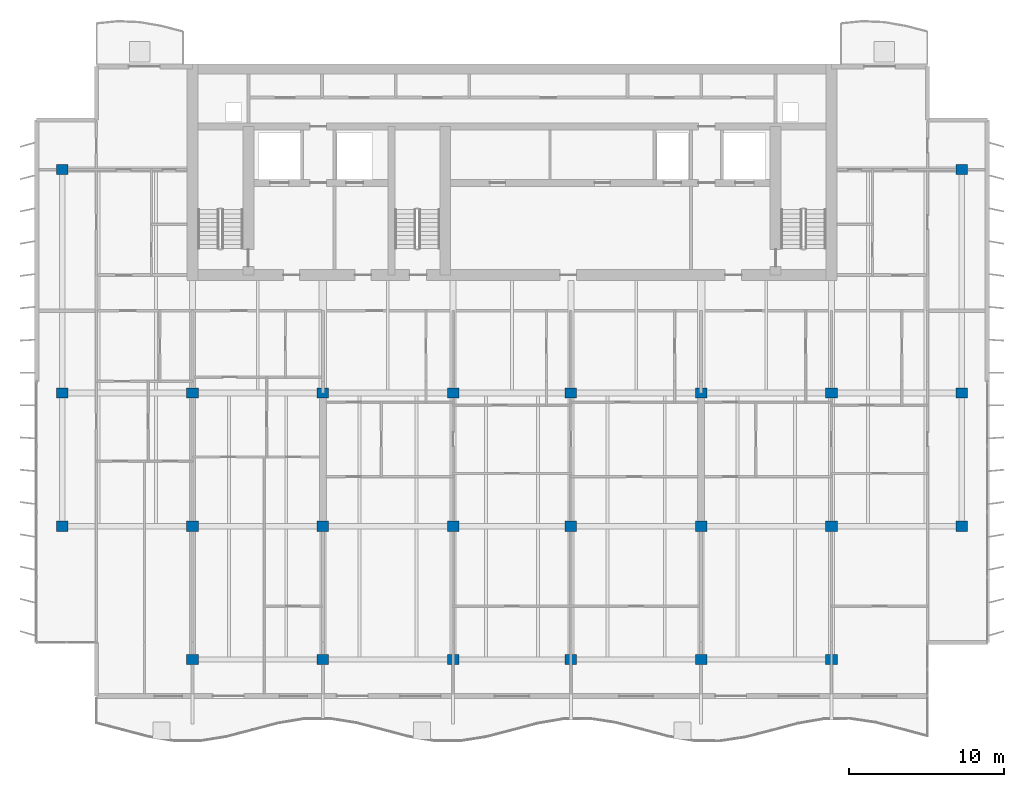
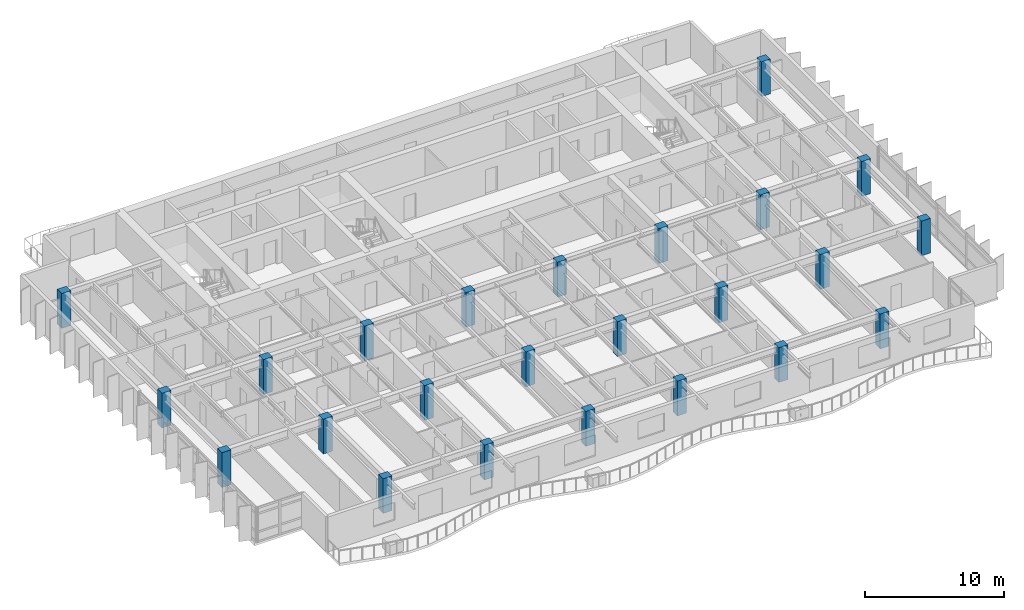
# One storey, part 1 of 16: 24 columns.
"""IFC4 building model written with IfcOpenShell, lengths in metres."""

from ifc_helpers import new_model, si_unit, direction, frame, origin, origin_2d, place, context, subcontext, project, spatial, rectangle, extrude, material, material_profile, profile_set, type_object, element, save


model = new_model("IFC4")

# Units and contexts
model_context = context("Model", 3, precision=1e-05, world=origin(), true_north=direction((0.0, 1.0)))
body_context = subcontext(model_context, "Body", "Model", "MODEL_VIEW")
ifc_project = project(units=[si_unit("LENGTHUNIT", "METRE"), si_unit("AREAUNIT", "SQUARE_METRE"), si_unit("VOLUMEUNIT", "CUBIC_METRE"), si_unit("PLANEANGLEUNIT", "RADIAN"), si_unit("MASSUNIT", "GRAM", prefix="KILO")], contexts=[model_context])

# Site, building, storey
site_placement = place(None, origin())
site = spatial("IfcSite", under=ifc_project, at=site_placement, CompositionType="ELEMENT")
building_placement = place(site_placement, origin())
building = spatial("IfcBuilding", under=site, at=building_placement, Name="Caelmar Bay Residences", CompositionType="ELEMENT")
storey_placement = place(building_placement, frame((0.0, 0.0, 249.60009765625)))
storey = spatial("IfcBuildingStorey", under=building, at=storey_placement, Name="L70", CompositionType="ELEMENT", Elevation=249.60009765625)

# Columns
ifc_material = material(Name="Concrete f'c 55 MPa (8,000 psi)", Category="concrete")
ifc_material_profile = material_profile(ifc_material, rectangle(XDim=0.75, YDim=0.64990234375, at=origin_2d()), Name="RC-COL-750X650")
ifc_profile_set = profile_set([ifc_material_profile], Name="Concrete f'c 55 MPa (8,000 psi)")
column_type = type_object("IfcColumnType", Name="COL-RC-750X650", PredefinedType="COLUMN", material=ifc_profile_set)
for number, where, z_axis, x_axis, name in (
    (1, (18.300048828125, 12.199951171875, 0.0), (0.0, 0.0, 1.0), (1.0, 0.0, 0.0), "L70 Column (18.30,12.20)"),
    (2, (26.699951171875, 12.199951171875, 0.0), (0.0, 0.0, 1.0), (1.0, 0.0, 0.0), "L70 Column (26.70,12.20)"),
    (3, (35.10009765625, 12.199951171875, 0.0), (0.0, 0.0, 1.0), (1.0, 0.0, 0.0), "L70 Column (35.10,12.20)"),
    (4, (42.699951171875, 12.199951171875, 0.0), (0.0, 0.0, 1.0), (1.0, 0.0, 0.0), "L70 Column (42.70,12.20)"),
    (5, (51.10009765625, 12.199951171875, 0.0), (0.0, 0.0, 1.0), (1.0, 0.0, 0.0), "L70 Column (51.10,12.20)"),
    (6, (59.5, 12.199951171875, 0.0), (0.0, 0.0, 1.0), (1.0, 0.0, 0.0), "L70 Column (59.50,12.20)"),
    (7, (9.89990234375, 20.800048828125, 0.0), (0.0, 0.0, 1.0), (1.0, 0.0, 0.0), "L70 Column (9.90,20.80)"),
    (8, (18.300048828125, 20.800048828125, 0.0), (0.0, 0.0, 1.0), (1.0, 0.0, 0.0), "L70 Column (18.30,20.80)"),
    (9, (26.699951171875, 20.800048828125, 0.0), (0.0, 0.0, 1.0), (1.0, 0.0, 0.0), "L70 Column (26.70,20.80)"),
    (10, (35.10009765625, 20.800048828125, 0.0), (0.0, 0.0, 1.0), (1.0, 0.0, 0.0), "L70 Column (35.10,20.80)"),
    (11, (42.699951171875, 20.800048828125, 0.0), (0.0, 0.0, 1.0), (1.0, 0.0, 0.0), "L70 Column (42.70,20.80)"),
    (12, (51.10009765625, 20.800048828125, 0.0), (0.0, 0.0, 1.0), (1.0, 0.0, 0.0), "L70 Column (51.10,20.80)"),
    (13, (59.5, 20.800048828125, 0.0), (0.0, 0.0, 1.0), (1.0, 0.0, 0.0), "L70 Column (59.50,20.80)"),
    (14, (67.89990234375, 20.800048828125, 0.0), (0.0, 0.0, 1.0), (1.0, 0.0, 0.0), "L70 Column (67.90,20.80)"),
    (15, (9.89990234375, 29.39990234375, 0.0), (0.0, 0.0, 1.0), (1.0, 0.0, 0.0), "L70 Column (9.90,29.40)"),
    (16, (18.300048828125, 29.39990234375, 0.0), (0.0, 0.0, 1.0), (1.0, 0.0, 0.0), "L70 Column (18.30,29.40)"),
    (17, (26.699951171875, 29.39990234375, 0.0), (0.0, 0.0, 1.0), (1.0, 0.0, 0.0), "L70 Column (26.70,29.40)"),
    (18, (35.10009765625, 29.39990234375, 0.0), (0.0, 0.0, 1.0), (1.0, 0.0, 0.0), "L70 Column (35.10,29.40)"),
    (19, (42.699951171875, 29.39990234375, 0.0), (0.0, 0.0, 1.0), (1.0, 0.0, 0.0), "L70 Column (42.70,29.40)"),
    (20, (51.10009765625, 29.39990234375, 0.0), (0.0, 0.0, 1.0), (1.0, 0.0, 0.0), "L70 Column (51.10,29.40)"),
    (21, (59.5, 29.39990234375, 0.0), (0.0, 0.0, 1.0), (1.0, 0.0, 0.0), "L70 Column (59.50,29.40)"),
    (22, (67.89990234375, 29.39990234375, 0.0), (0.0, 0.0, 1.0), (1.0, 0.0, 0.0), "L70 Column (67.90,29.40)"),
    (23, (9.89990234375, 43.800048828125, 0.0), (0.0, 0.0, 1.0), (1.0, 0.0, 0.0), "L70 Column (9.90,43.80)"),
    (24, (67.89990234375, 43.800048828125, 0.0), (0.0, 0.0, 1.0), (1.0, 0.0, 0.0), "L70 Column (67.90,43.80)"),
):
    element("IfcColumn", number, at=place(storey_placement, frame(where, z_axis=z_axis, x_axis=x_axis)), inside=storey, type_object=column_type, Name=name, PredefinedType="COLUMN", context=body_context, shape_type="SweptSolid", body=[
        extrude(rectangle(XDim=0.75, YDim=0.64990234375, at=origin_2d()), origin(), (0.0, 0.0, 1.0), 3.0498046875),
    ])

save(model, "model.ifc")
